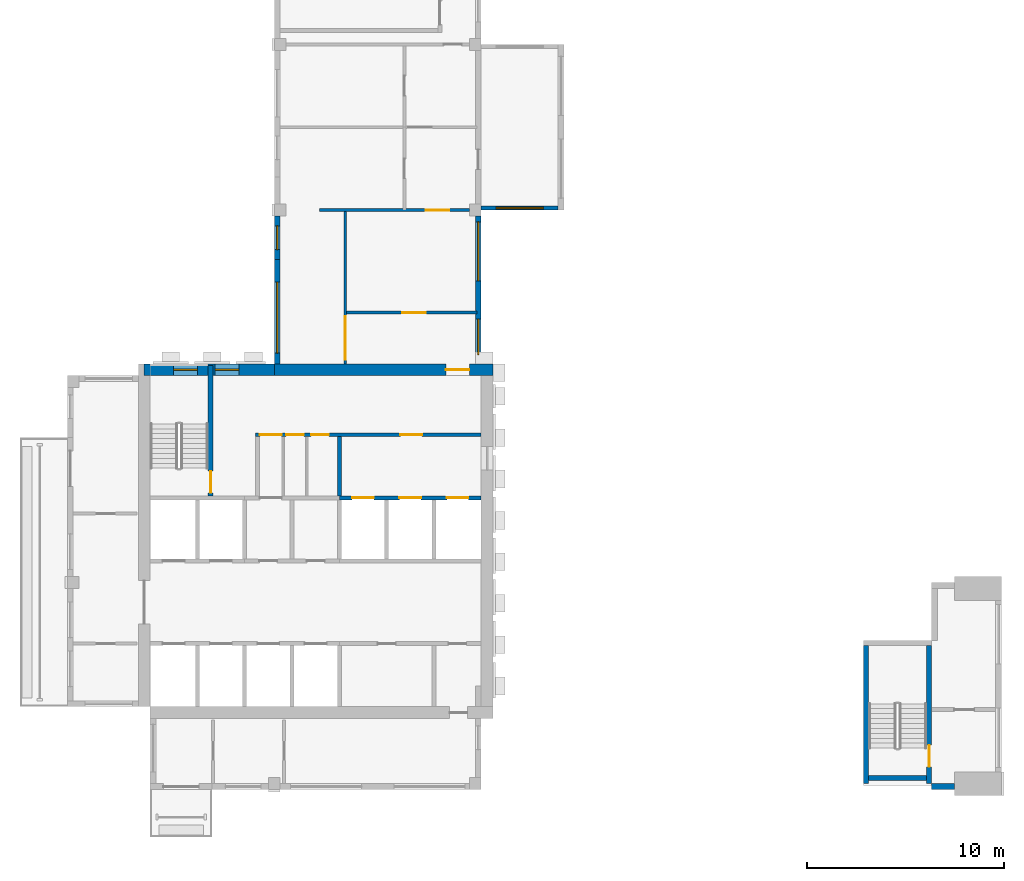
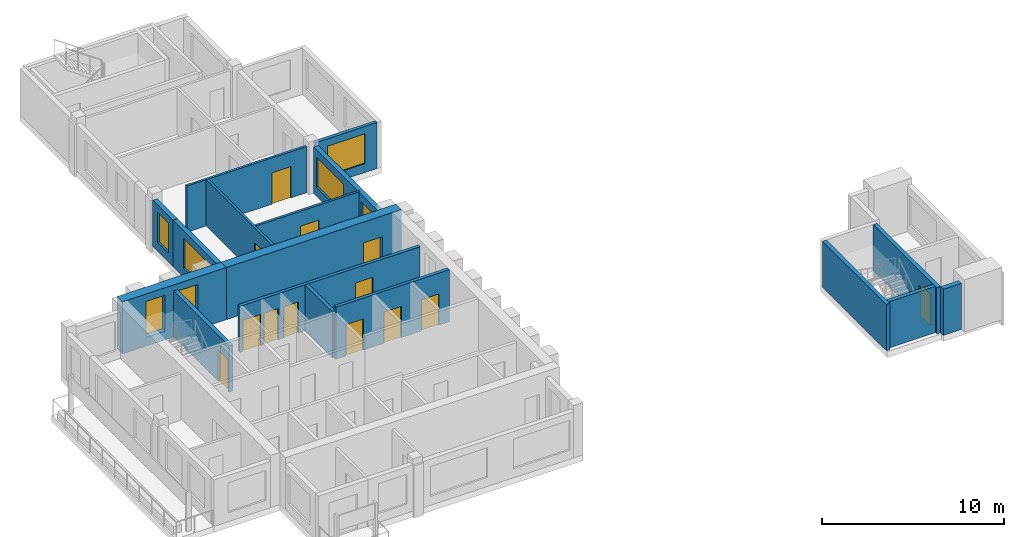
# One storey, part 3 of 9: 17 walls, 13 doors, 7 windows, 20 openings.
"""IFC4 building model written with IfcOpenShell, lengths in metres."""

from ifc_helpers import new_model, si_unit, direction, frame, frame_2d, origin, place, context, subcontext, project, spatial, rectangle, extrude, source, transform, mapped, material, layer, layer_set, type_object, element, fill, save


model = new_model("IFC4")

# Units and contexts
model_context = context("Model", 3, precision=1e-05, world=origin(), true_north=direction((0.0, 1.0)))
body_context = subcontext(model_context, "Body", "Model", "MODEL_VIEW")
ifc_project = project(units=[si_unit("LENGTHUNIT", "METRE"), si_unit("AREAUNIT", "SQUARE_METRE"), si_unit("VOLUMEUNIT", "CUBIC_METRE"), si_unit("PLANEANGLEUNIT", "RADIAN"), si_unit("MASSUNIT", "GRAM", prefix="KILO")], contexts=[model_context])

# Site, building, storey
site_placement = place(None, origin())
site = spatial("IfcSite", under=ifc_project, at=site_placement, CompositionType="ELEMENT")
building_placement = place(site_placement, origin())
building = spatial("IfcBuilding", under=site, at=building_placement, Name="Aurelian Terraces", CompositionType="ELEMENT")
storey_placement = place(building_placement, frame((0.0, 0.0, 340.5)))
storey = spatial("IfcBuildingStorey", under=building, at=storey_placement, Name="L80", CompositionType="ELEMENT", Elevation=340.5)

# Wall, opening, window
ifc_material_1 = material(Name="Terracotta rainscreen cladding", Category="masonry")
ifc_layer_1 = layer(ifc_material_1, 0.3)
ifc_layer_set_1 = layer_set([ifc_layer_1], Name="EW-300")
wall_type_1 = type_object("IfcWallType", Name="EW-300", PredefinedType="STANDARD", material=ifc_layer_set_1)
wall_1_placement = place(storey_placement, frame((10.65, 29.1, 0.0), z_axis=(0.0, 0.0, 1.0), x_axis=(0.0, -1.0, 0.0)))
wall_1 = element("IfcWall", 1, at=wall_1_placement, inside=storey, type_object=wall_type_1, Name="External wall L80 F04.12", PredefinedType="STANDARD", context=body_context, shape_type="SweptSolid", body=[
    extrude(rectangle(XDim=2.22, YDim=0.3, at=frame_2d((1.11, 0.0))), origin(), (0.0, 0.0, 1.0), 3.1),
])
shared_shape_1 = source(origin(), body_context, "Body", "SweptSolid", [
    extrude(rectangle(XDim=1.2, YDim=2.0, at=frame_2d((0.6, 1.0))), frame((0.0, 0.16, 0.0), z_axis=(0.0, -1.0, 0.0), x_axis=(1.0, 0.0, 0.0)), (0.0, 0.0, 1.0), 0.32),
])
opening_1_placement = place(wall_1_placement, frame((0.51, 0.0, 0.6)))
opening_1 = element("IfcOpeningElement", 2, at=opening_1_placement, cuts=wall_1, Name="Opening W1220", PredefinedType="OPENING", context=body_context, shape_type="MappedRepresentation", body=[
    mapped(shared_shape_1, transform((0.0, 0.0, 0.0), scale=1.0)),
])
ifc_material_2 = material(Name="Clear glazing", Category="glass")
window_type_1 = type_object("IfcWindowType", Name="W-1200x2000", PartitioningType="SINGLE_PANEL", PredefinedType="WINDOW", material=ifc_material_2)
shared_shape_2 = source(origin(), body_context, "Body", "SweptSolid", [
    extrude(rectangle(XDim=1.2, YDim=2.0, at=frame_2d((0.6, 1.0))), frame((0.0, 0.03, 0.0), z_axis=(0.0, -1.0, 0.0), x_axis=(1.0, 0.0, 0.0)), (0.0, 0.0, 1.0), 0.06),
])
window_1_placement = place(opening_1_placement, origin())
window_1 = element("IfcWindow", 3, at=window_1_placement, inside=storey, type_object=window_type_1, Name="Window L80 L80-F04-12-P1", OverallHeight=2.0, OverallWidth=1.2, PartitioningType="SINGLE_PANEL", PredefinedType="WINDOW", context=body_context, shape_type="MappedRepresentation", body=[
    mapped(shared_shape_2, transform((0.0, 0.0, 0.0), scale=1.0)),
])
fill(opening_1, window_1)

# Wall, opening, door
ifc_material_3 = material(Name="Gypsum board on steel studs", Category="steel")
ifc_layer_2 = layer(ifc_material_3, 0.15)
ifc_layer_set_2 = layer_set([ifc_layer_2], Name="Partition 150")
wall_type_2 = type_object("IfcWallType", Name="Partition 150", PredefinedType="PARTITIONING", material=ifc_layer_set_2)
wall_2_placement = place(storey_placement, frame((12.805, 29.4, 0.0), z_axis=(0.0, 0.0, 1.0), x_axis=(1.0, 0.0, 0.0)))
wall_2 = element("IfcWall", 4, at=wall_2_placement, inside=storey, type_object=wall_type_2, Name="Partition", PredefinedType="PARTITIONING", context=body_context, shape_type="SweptSolid", body=[
    extrude(rectangle(XDim=7.596, YDim=0.15, at=frame_2d((3.798, 0.0))), origin(), (0.0, 0.0, 1.0), 3.1),
])
shared_shape_3 = source(origin(), body_context, "Body", "SweptSolid", [
    extrude(rectangle(XDim=1.2, YDim=2.1, at=frame_2d((0.6, 1.05))), frame((0.0, 0.085, 0.0), z_axis=(0.0, -1.0, 0.0), x_axis=(1.0, 0.0, 0.0)), (0.0, 0.0, 1.0), 0.17),
])
opening_2_placement = place(wall_2_placement, frame((5.3825, 0.0, 0.0)))
opening_2 = element("IfcOpeningElement", 5, at=opening_2_placement, cuts=wall_2, Name="Opening 780008", PredefinedType="OPENING", context=body_context, shape_type="MappedRepresentation", body=[
    mapped(shared_shape_3, transform((0.0, 0.0, 0.0), scale=1.0)),
])
ifc_material_4 = material(Name="Timber door leaf", Category="wood")
door_type_1 = type_object("IfcDoorType", Name="Room door 1200x2100 right", OperationType="SINGLE_SWING_RIGHT", PredefinedType="DOOR", material=ifc_material_4)
shared_shape_4 = source(origin(), body_context, "Body", "SweptSolid", [
    extrude(rectangle(XDim=1.2, YDim=2.1, at=frame_2d((0.6, 1.05))), frame((0.0, 0.025, 0.0), z_axis=(0.0, -1.0, 0.0), x_axis=(1.0, 0.0, 0.0)), (0.0, 0.0, 1.0), 0.05),
])
door_1_placement = place(opening_2_placement, origin())
door_1 = element("IfcDoor", 6, at=door_1_placement, inside=storey, type_object=door_type_1, Name="Door 780008", OperationType="SINGLE_SWING_RIGHT", OverallHeight=2.1, OverallWidth=1.2, PredefinedType="DOOR", context=body_context, shape_type="MappedRepresentation", body=[
    mapped(shared_shape_4, transform((0.0, 0.0, 0.0), scale=1.0)),
])
fill(opening_2, door_1)

ifc_material_5 = material(Name="Concrete fc' 55 MPa", Category="concrete")
ifc_layer_3 = layer(ifc_material_5, 0.6)
ifc_layer_set_3 = layer_set([ifc_layer_3], Name="CORE WALL 600 FC55")
wall_type_3 = type_object("IfcWallType", Name="CORE WALL 600 FC55", PredefinedType="SHEAR", material=ifc_layer_set_3)
shared_shape_5 = source(origin(), body_context, "Body", "SweptSolid", [
    extrude(rectangle(XDim=11.1, YDim=0.6, at=frame_2d((5.55, 0.0))), origin(), (0.0, 0.0, 1.0), 3.5),
])
wall_3_placement = place(storey_placement, frame((10.5, 21.3, 0.0), z_axis=(0.0, 0.0, 1.0), x_axis=(1.0, 0.0, 0.0)))
wall_3 = element("IfcWall", 7, at=wall_3_placement, inside=storey, type_object=wall_type_3, Name="Core wall N L80", PredefinedType="SHEAR", context=body_context, shape_type="MappedRepresentation", body=[
    mapped(shared_shape_5, transform((0.0, 0.0, 0.0), scale=1.0)),
])
shared_shape_6 = source(origin(), body_context, "Body", "SweptSolid", [
    extrude(rectangle(XDim=1.2, YDim=2.1, at=frame_2d((0.6, 1.05))), frame((0.0, 0.31, 0.0), z_axis=(0.0, -1.0, 0.0), x_axis=(1.0, 0.0, 0.0)), (0.0, 0.0, 1.0), 0.62),
])
opening_3_placement = place(wall_3_placement, frame((8.7, 0.0, 0.0)))
opening_3 = element("IfcOpeningElement", 8, at=opening_3_placement, cuts=wall_3, Name="Opening 68325", PredefinedType="OPENING", context=body_context, shape_type="MappedRepresentation", body=[
    mapped(shared_shape_6, transform((0.0, 0.0, 0.0), scale=1.0)),
])
ifc_material_6 = material(Name="Steel door leaf", Category="steel")
door_type_2 = type_object("IfcDoorType", Name="Core fire door 1200x2100", OperationType="SINGLE_SWING_LEFT", PredefinedType="DOOR", material=ifc_material_6)
door_2_placement = place(opening_3_placement, origin())
door_2 = element("IfcDoor", 9, at=door_2_placement, inside=storey, type_object=door_type_2, Name="Core door 68325", OperationType="SINGLE_SWING_LEFT", OverallHeight=2.1, OverallWidth=1.2, PredefinedType="DOOR", context=body_context, shape_type="MappedRepresentation", body=[
    mapped(shared_shape_4, transform((0.0, 0.0, 0.0), scale=1.0)),
])
fill(opening_3, door_2)

# Wall, openings, windows
shared_shape_7 = source(origin(), body_context, "Body", "SweptSolid", [
    extrude(rectangle(XDim=6.6, YDim=0.6, at=frame_2d((3.3, 0.0))), origin(), (0.0, 0.0, 1.0), 3.5),
])
wall_4_placement = place(storey_placement, frame((3.9, 21.3, 0.0), z_axis=(0.0, 0.0, 1.0), x_axis=(1.0, 0.0, 0.0)))
wall_4 = element("IfcWall", 10, at=wall_4_placement, inside=storey, type_object=wall_type_3, Name="Core wall N L80 exposed", PredefinedType="SHEAR", context=body_context, shape_type="MappedRepresentation", body=[
    mapped(shared_shape_7, transform((0.0, 0.0, 0.0), scale=1.0)),
])
shared_shape_8 = source(origin(), body_context, "Body", "SweptSolid", [
    extrude(rectangle(XDim=1.2, YDim=2.4, at=frame_2d((0.6, 1.2))), frame((0.0, 0.31, 0.0), z_axis=(0.0, -1.0, 0.0), x_axis=(1.0, 0.0, 0.0)), (0.0, 0.0, 1.0), 0.62),
])
opening_4_placement = place(wall_4_placement, frame((1.5, 0.0, 0.6)))
opening_4 = element("IfcOpeningElement", 11, at=opening_4_placement, cuts=wall_4, Name="Opening W-CL", PredefinedType="OPENING", context=body_context, shape_type="MappedRepresentation", body=[
    mapped(shared_shape_8, transform((0.0, 0.0, 0.0), scale=1.0)),
])
opening_5_placement = place(wall_4_placement, frame((3.6, 0.0, 0.6)))
opening_5 = element("IfcOpeningElement", 12, at=opening_5_placement, cuts=wall_4, Name="Opening W-CL", PredefinedType="OPENING", context=body_context, shape_type="MappedRepresentation", body=[
    mapped(shared_shape_8, transform((0.0, 0.0, 0.0), scale=1.0)),
])
ifc_material_7 = material(Name="Fire-resisting glazing", Category="glass")
window_type_2 = type_object("IfcWindowType", Name="Core lobby window 1200x2400", PartitioningType="SINGLE_PANEL", PredefinedType="WINDOW", material=ifc_material_7)
shared_shape_9 = source(origin(), body_context, "Body", "SweptSolid", [
    extrude(rectangle(XDim=1.2, YDim=2.4, at=frame_2d((0.6, 1.2))), frame((0.0, 0.03, 0.0), z_axis=(0.0, -1.0, 0.0), x_axis=(1.0, 0.0, 0.0)), (0.0, 0.0, 1.0), 0.06),
])
window_2_placement = place(opening_4_placement, origin())
window_2 = element("IfcWindow", 13, at=window_2_placement, inside=storey, type_object=window_type_2, Name="Lobby window L80 N50", OverallHeight=2.4, OverallWidth=1.2, PartitioningType="SINGLE_PANEL", PredefinedType="WINDOW", context=body_context, shape_type="MappedRepresentation", body=[
    mapped(shared_shape_9, transform((0.0, 0.0, 0.0), scale=1.0)),
])
fill(opening_4, window_2)
window_3_placement = place(opening_5_placement, origin())
window_3 = element("IfcWindow", 14, at=window_3_placement, inside=storey, type_object=window_type_2, Name="Lobby window L80 N51", OverallHeight=2.4, OverallWidth=1.2, PartitioningType="SINGLE_PANEL", PredefinedType="WINDOW", context=body_context, shape_type="MappedRepresentation", body=[
    mapped(shared_shape_9, transform((0.0, 0.0, 0.0), scale=1.0)),
])
fill(opening_5, window_3)

# Wall, opening, window
ifc_material_8 = material(Name="Concrete fc' 40 MPa", Category="concrete")
ifc_layer_4 = layer(ifc_material_8, 0.2)
ifc_layer_set_4 = layer_set([ifc_layer_4], Name="BOX BEARING WALL 200")
wall_type_4 = type_object("IfcWallType", Name="BOX BEARING WALL 200", PredefinedType="SOLIDWALL", material=ifc_layer_set_4)
shared_shape_10 = source(origin(), body_context, "Body", "SweptSolid", [
    extrude(rectangle(XDim=3.9, YDim=0.2, at=frame_2d((1.95, 0.0))), origin(), (0.0, 0.0, 1.0), 3.09),
])
wall_5_placement = place(storey_placement, frame((21.0, 29.5, 0.0), z_axis=(0.0, 0.0, 1.0), x_axis=(1.0, 0.0, 0.0)))
wall_5 = element("IfcWall", 15, at=wall_5_placement, inside=storey, type_object=wall_type_4, Name="Box return L80 J94.1", PredefinedType="SOLIDWALL", context=body_context, shape_type="MappedRepresentation", body=[
    mapped(shared_shape_10, transform((0.0, 0.0, 0.0), scale=1.0)),
])
shared_shape_11 = source(origin(), body_context, "Body", "SweptSolid", [
    extrude(rectangle(XDim=2.4, YDim=2.0, at=frame_2d((1.2, 1.0))), frame((0.0, 0.11, 0.0), z_axis=(0.0, -1.0, 0.0), x_axis=(1.0, 0.0, 0.0)), (0.0, 0.0, 1.0), 0.22),
])
opening_6_placement = place(wall_5_placement, frame((0.75, 0.0, 0.6)))
opening_6 = element("IfcOpeningElement", 16, at=opening_6_placement, cuts=wall_5, Name="Opening W2420", PredefinedType="OPENING", context=body_context, shape_type="MappedRepresentation", body=[
    mapped(shared_shape_11, transform((0.0, 0.0, 0.0), scale=1.0)),
])
window_type_3 = type_object("IfcWindowType", Name="W-2400x2000", PartitioningType="SINGLE_PANEL", PredefinedType="WINDOW", material=ifc_material_2)
shared_shape_12 = source(origin(), body_context, "Body", "SweptSolid", [
    extrude(rectangle(XDim=2.4, YDim=2.0, at=frame_2d((1.2, 1.0))), frame((0.0, 0.03, 0.0), z_axis=(0.0, -1.0, 0.0), x_axis=(1.0, 0.0, 0.0)), (0.0, 0.0, 1.0), 0.06),
])
window_4_placement = place(opening_6_placement, origin())
window_4 = element("IfcWindow", 17, at=window_4_placement, inside=storey, type_object=window_type_3, Name="Window L80 J94-S1", OverallHeight=2.0, OverallWidth=2.4, PartitioningType="SINGLE_PANEL", PredefinedType="WINDOW", context=body_context, shape_type="MappedRepresentation", body=[
    mapped(shared_shape_12, transform((0.0, 0.0, 0.0), scale=1.0)),
])
fill(opening_6, window_4)

shared_shape_13 = source(origin(), body_context, "Body", "SweptSolid", [
    extrude(rectangle(XDim=5.28, YDim=0.3, at=frame_2d((2.64, 0.0))), origin(), (0.0, 0.0, 1.0), 3.1),
])
wall_6_placement = place(storey_placement, frame((10.65, 26.88, 0.0), z_axis=(0.0, 0.0, 1.0), x_axis=(0.0, -1.0, 0.0)))
wall_6 = element("IfcWall", 18, at=wall_6_placement, inside=storey, type_object=wall_type_1, Name="External wall L80 F04.13", PredefinedType="STANDARD", context=body_context, shape_type="MappedRepresentation", body=[
    mapped(shared_shape_13, transform((0.0, 0.0, 0.0), scale=1.0)),
])
shared_shape_14 = source(origin(), body_context, "Body", "SweptSolid", [
    extrude(rectangle(XDim=3.6, YDim=2.0, at=frame_2d((1.8, 1.0))), frame((0.0, 0.16, 0.0), z_axis=(0.0, -1.0, 0.0), x_axis=(1.0, 0.0, 0.0)), (0.0, 0.0, 1.0), 0.32),
])
opening_7_placement = place(wall_6_placement, frame((1.14, 0.0, 0.6)))
opening_7 = element("IfcOpeningElement", 19, at=opening_7_placement, cuts=wall_6, Name="Opening W3620", PredefinedType="OPENING", context=body_context, shape_type="MappedRepresentation", body=[
    mapped(shared_shape_14, transform((0.0, 0.0, 0.0), scale=1.0)),
])
window_type_4 = type_object("IfcWindowType", Name="W-3600x2000", PartitioningType="SINGLE_PANEL", PredefinedType="WINDOW", material=ifc_material_2)
shared_shape_15 = source(origin(), body_context, "Body", "SweptSolid", [
    extrude(rectangle(XDim=3.6, YDim=2.0, at=frame_2d((1.8, 1.0))), frame((0.0, 0.03, 0.0), z_axis=(0.0, -1.0, 0.0), x_axis=(1.0, 0.0, 0.0)), (0.0, 0.0, 1.0), 0.06),
])
window_5_placement = place(opening_7_placement, origin())
window_5 = element("IfcWindow", 20, at=window_5_placement, inside=storey, type_object=window_type_4, Name="Window L80 L80-F04-13-0", OverallHeight=2.0, OverallWidth=3.6, PartitioningType="SINGLE_PANEL", PredefinedType="WINDOW", context=body_context, shape_type="MappedRepresentation", body=[
    mapped(shared_shape_15, transform((0.0, 0.0, 0.0), scale=1.0)),
])
fill(opening_7, window_5)

# Wall, openings, windows
shared_shape_16 = source(origin(), body_context, "Body", "SweptSolid", [
    extrude(rectangle(XDim=7.5, YDim=0.3, at=frame_2d((3.75, 0.0))), origin(), (0.0, 0.0, 1.0), 3.1),
])
wall_7_placement = place(storey_placement, frame((20.85, 21.6, 0.0), z_axis=(0.0, 0.0, 1.0), x_axis=(0.0, 1.0, 0.0)))
wall_7 = element("IfcWall", 21, at=wall_7_placement, inside=storey, type_object=wall_type_1, Name="External wall L80 F02.7", PredefinedType="STANDARD", context=body_context, shape_type="MappedRepresentation", body=[
    mapped(shared_shape_16, transform((0.0, 0.0, 0.0), scale=1.0)),
])
shared_shape_17 = source(origin(), body_context, "Body", "SweptSolid", [
    extrude(rectangle(XDim=1.8, YDim=2.0, at=frame_2d((0.9, 1.0))), frame((0.0, 0.16, 0.0), z_axis=(0.0, -1.0, 0.0), x_axis=(1.0, 0.0, 0.0)), (0.0, 0.0, 1.0), 0.32),
])
opening_8_placement = place(wall_7_placement, frame((0.4625, 0.0, 0.6)))
opening_8 = element("IfcOpeningElement", 22, at=opening_8_placement, cuts=wall_7, Name="Opening W1820", PredefinedType="OPENING", context=body_context, shape_type="MappedRepresentation", body=[
    mapped(shared_shape_17, transform((0.0, 0.0, 0.0), scale=1.0)),
])
shared_shape_18 = source(origin(), body_context, "Body", "SweptSolid", [
    extrude(rectangle(XDim=3.0, YDim=2.0, at=frame_2d((1.5, 1.0))), frame((0.0, 0.16, 0.0), z_axis=(0.0, -1.0, 0.0), x_axis=(1.0, 0.0, 0.0)), (0.0, 0.0, 1.0), 0.32),
])
opening_9_placement = place(wall_7_placement, frame((4.2, 0.0, 0.6)))
opening_9 = element("IfcOpeningElement", 23, at=opening_9_placement, cuts=wall_7, Name="Opening W3020", PredefinedType="OPENING", context=body_context, shape_type="MappedRepresentation", body=[
    mapped(shared_shape_18, transform((0.0, 0.0, 0.0), scale=1.0)),
])
window_type_5 = type_object("IfcWindowType", Name="W-3000x2000", PartitioningType="SINGLE_PANEL", PredefinedType="WINDOW", material=ifc_material_2)
shared_shape_19 = source(origin(), body_context, "Body", "SweptSolid", [
    extrude(rectangle(XDim=3.0, YDim=2.0, at=frame_2d((1.5, 1.0))), frame((0.0, 0.03, 0.0), z_axis=(0.0, -1.0, 0.0), x_axis=(1.0, 0.0, 0.0)), (0.0, 0.0, 1.0), 0.06),
])
window_6_placement = place(opening_9_placement, origin())
window_6 = element("IfcWindow", 24, at=window_6_placement, inside=storey, type_object=window_type_5, Name="Window L80 L80-F02-07-1", OverallHeight=2.0, OverallWidth=3.0, PartitioningType="SINGLE_PANEL", PredefinedType="WINDOW", context=body_context, shape_type="MappedRepresentation", body=[
    mapped(shared_shape_19, transform((0.0, 0.0, 0.0), scale=1.0)),
])
fill(opening_9, window_6)
window_type_6 = type_object("IfcWindowType", Name="W-1800x2000", PartitioningType="SINGLE_PANEL", PredefinedType="WINDOW", material=ifc_material_2)
shared_shape_20 = source(origin(), body_context, "Body", "SweptSolid", [
    extrude(rectangle(XDim=1.8, YDim=2.0, at=frame_2d((0.9, 1.0))), frame((0.0, 0.03, 0.0), z_axis=(0.0, -1.0, 0.0), x_axis=(1.0, 0.0, 0.0)), (0.0, 0.0, 1.0), 0.06),
])
window_7_placement = place(opening_8_placement, origin())
window_7 = element("IfcWindow", 25, at=window_7_placement, inside=storey, type_object=window_type_6, Name="Window L80 L80-F02-07-0", OverallHeight=2.0, OverallWidth=1.8, PartitioningType="SINGLE_PANEL", PredefinedType="WINDOW", context=body_context, shape_type="MappedRepresentation", body=[
    mapped(shared_shape_20, transform((0.0, 0.0, 0.0), scale=1.0)),
])
fill(opening_8, window_7)

# Wall
shared_shape_21 = source(origin(), body_context, "Body", "SweptSolid", [
    extrude(rectangle(XDim=1.15, YDim=0.3, at=frame_2d((0.575, 0.0))), origin(), (0.0, 0.0, 1.0), 3.1),
])
wall_8_placement = place(storey_placement, frame((43.85, 0.15, 0.0), z_axis=(0.0, 0.0, 1.0), x_axis=(1.0, 0.0, 0.0)))
element("IfcWall", 26, at=wall_8_placement, inside=storey, type_object=wall_type_1, Name="External wall L80 F13.23", PredefinedType="STANDARD", context=body_context, shape_type="MappedRepresentation", body=[
    mapped(shared_shape_21, transform((0.0, 0.0, 0.0), scale=1.0)),
])

# Wall, openings, doors
ifc_layer_5 = layer(ifc_material_8, 0.2)
ifc_layer_set_5 = layer_set([ifc_layer_5], Name="Lift shaft wall 200")
wall_type_5 = type_object("IfcWallType", Name="Lift shaft wall 200", PredefinedType="SOLIDWALL", material=ifc_layer_set_5)
shared_shape_22 = source(origin(), body_context, "Body", "SweptSolid", [
    extrude(rectangle(XDim=7.2, YDim=0.2, at=frame_2d((3.6, 0.0))), origin(), (0.0, 0.0, 1.0), 3.5),
])
wall_9_placement = place(storey_placement, frame((13.8, 14.8, 0.0), z_axis=(0.0, 0.0, 1.0), x_axis=(1.0, 0.0, 0.0)))
wall_9 = element("IfcWall", 27, at=wall_9_placement, inside=storey, type_object=wall_type_5, Name="L80 core wall CF-BB3", PredefinedType="SOLIDWALL", context=body_context, shape_type="MappedRepresentation", body=[
    mapped(shared_shape_22, transform((0.0, 0.0, 0.0), scale=1.0)),
])
shared_shape_23 = source(origin(), body_context, "Body", "SweptSolid", [
    extrude(rectangle(XDim=1.1, YDim=2.1, at=frame_2d((0.55, 1.05))), frame((0.0, 0.11, 0.0), z_axis=(0.0, -1.0, 0.0), x_axis=(1.0, 0.0, 0.0)), (0.0, 0.0, 1.0), 0.22),
])
opening_10_placement = place(wall_9_placement, frame((0.65, 0.0, 0.0)))
opening_10 = element("IfcOpeningElement", 28, at=opening_10_placement, cuts=wall_9, Name="Opening 68311", PredefinedType="OPENING", context=body_context, shape_type="MappedRepresentation", body=[
    mapped(shared_shape_23, transform((0.0, 0.0, 0.0), scale=1.0)),
])
opening_11_placement = place(wall_9_placement, frame((3.05, 0.0, 0.0)))
opening_11 = element("IfcOpeningElement", 29, at=opening_11_placement, cuts=wall_9, Name="Opening 68312", PredefinedType="OPENING", context=body_context, shape_type="MappedRepresentation", body=[
    mapped(shared_shape_23, transform((0.0, 0.0, 0.0), scale=1.0)),
])
opening_12_placement = place(wall_9_placement, frame((5.45, 0.0, 0.0)))
opening_12 = element("IfcOpeningElement", 30, at=opening_12_placement, cuts=wall_9, Name="Opening 68313", PredefinedType="OPENING", context=body_context, shape_type="MappedRepresentation", body=[
    mapped(shared_shape_23, transform((0.0, 0.0, 0.0), scale=1.0)),
])
ifc_material_9 = material(Name="Stainless steel", Category="steel")
door_type_3 = type_object("IfcDoorType", Name="Lift landing door 1100x2100", OperationType="SLIDING_TO_LEFT", PredefinedType="DOOR", material=ifc_material_9)
shared_shape_24 = source(origin(), body_context, "Body", "SweptSolid", [
    extrude(rectangle(XDim=1.1, YDim=2.1, at=frame_2d((0.55, 1.05))), frame((0.0, 0.025, 0.0), z_axis=(0.0, -1.0, 0.0), x_axis=(1.0, 0.0, 0.0)), (0.0, 0.0, 1.0), 0.05),
])
door_3_placement = place(opening_10_placement, origin())
door_3 = element("IfcDoor", 31, at=door_3_placement, inside=storey, type_object=door_type_3, Name="Lift landing door F1 L80", OperationType="SLIDING_TO_LEFT", OverallHeight=2.1, OverallWidth=1.1, PredefinedType="DOOR", context=body_context, shape_type="MappedRepresentation", body=[
    mapped(shared_shape_24, transform((0.0, 0.0, 0.0), scale=1.0)),
])
fill(opening_10, door_3)
door_4_placement = place(opening_11_placement, origin())
door_4 = element("IfcDoor", 32, at=door_4_placement, inside=storey, type_object=door_type_3, Name="Lift landing door F2 L80", OperationType="SLIDING_TO_LEFT", OverallHeight=2.1, OverallWidth=1.1, PredefinedType="DOOR", context=body_context, shape_type="MappedRepresentation", body=[
    mapped(shared_shape_24, transform((0.0, 0.0, 0.0), scale=1.0)),
])
fill(opening_11, door_4)
door_5_placement = place(opening_12_placement, origin())
door_5 = element("IfcDoor", 33, at=door_5_placement, inside=storey, type_object=door_type_3, Name="Lift landing door F3 L80", OperationType="SLIDING_TO_LEFT", OverallHeight=2.1, OverallWidth=1.1, PredefinedType="DOOR", context=body_context, shape_type="MappedRepresentation", body=[
    mapped(shared_shape_24, transform((0.0, 0.0, 0.0), scale=1.0)),
])
fill(opening_12, door_5)

# Walls
ifc_layer_6 = layer(ifc_material_3, 0.2)
ifc_layer_set_6 = layer_set([ifc_layer_6], Name="Core partition 200")
wall_type_6 = type_object("IfcWallType", Name="Core partition 200", PredefinedType="PARTITIONING", material=ifc_layer_set_6)
shared_shape_25 = source(origin(), body_context, "Body", "SweptSolid", [
    extrude(rectangle(XDim=3.0, YDim=0.2, at=frame_2d((1.5, 0.0))), origin(), (0.0, 0.0, 1.0), 3.1),
])
wall_10_placement = place(storey_placement, frame((13.8, 14.9, 0.0), z_axis=(0.0, 0.0, 1.0), x_axis=(0.0, 1.0, 0.0)))
element("IfcWall", 34, at=wall_10_placement, inside=storey, type_object=wall_type_6, Name="L80 core wall CP-FFL", PredefinedType="PARTITIONING", context=body_context, shape_type="MappedRepresentation", body=[
    mapped(shared_shape_25, transform((0.0, 0.0, 0.0), scale=1.0)),
])
ifc_layer_7 = layer(ifc_material_8, 0.25)
ifc_layer_set_7 = layer_set([ifc_layer_7], Name="Stair enclosure wall 250")
wall_type_7 = type_object("IfcWallType", Name="Stair enclosure wall 250", PredefinedType="SOLIDWALL", material=ifc_layer_set_7)
shared_shape_26 = source(origin(), body_context, "Body", "SweptSolid", [
    extrude(rectangle(XDim=7.0, YDim=0.25, at=frame_2d((3.5, 0.0))), origin(), (0.0, 0.0, 1.0), 3.1),
])
wall_11_placement = place(storey_placement, frame((40.525, 0.3, 0.0), z_axis=(0.0, 0.0, 1.0), x_axis=(0.0, 1.0, 0.0)))
element("IfcWall", 35, at=wall_11_placement, inside=storey, type_object=wall_type_7, Name="L80 core wall ST-S2-W", PredefinedType="SOLIDWALL", context=body_context, shape_type="MappedRepresentation", body=[
    mapped(shared_shape_26, transform((0.0, 0.0, 0.0), scale=1.0)),
])

# Wall, opening, door
wall_12_placement = place(storey_placement, frame((43.725, 0.3, 0.0), z_axis=(0.0, 0.0, 1.0), x_axis=(0.0, 1.0, 0.0)))
wall_12 = element("IfcWall", 36, at=wall_12_placement, inside=storey, type_object=wall_type_7, Name="L80 core wall ST-S2-E", PredefinedType="SOLIDWALL", context=body_context, shape_type="MappedRepresentation", body=[
    mapped(shared_shape_26, transform((0.0, 0.0, 0.0), scale=1.0)),
])
shared_shape_27 = source(origin(), body_context, "Body", "SweptSolid", [
    extrude(rectangle(XDim=1.1, YDim=2.1, at=frame_2d((0.55, 1.05))), frame((0.0, 0.135, 0.0), z_axis=(0.0, -1.0, 0.0), x_axis=(1.0, 0.0, 0.0)), (0.0, 0.0, 1.0), 0.27),
])
opening_13_placement = place(wall_12_placement, frame((0.85, 0.0, 0.0)))
opening_13 = element("IfcOpeningElement", 37, at=opening_13_placement, cuts=wall_12, Name="Opening 68319", PredefinedType="OPENING", context=body_context, shape_type="MappedRepresentation", body=[
    mapped(shared_shape_27, transform((0.0, 0.0, 0.0), scale=1.0)),
])
door_type_4 = type_object("IfcDoorType", Name="Core fire door 1100x2100", OperationType="SINGLE_SWING_LEFT", PredefinedType="DOOR", material=ifc_material_6)
door_6_placement = place(opening_13_placement, origin())
door_6 = element("IfcDoor", 38, at=door_6_placement, inside=storey, type_object=door_type_4, Name="Room door 68319", OperationType="SINGLE_SWING_LEFT", OverallHeight=2.1, OverallWidth=1.1, PredefinedType="DOOR", context=body_context, shape_type="MappedRepresentation", body=[
    mapped(shared_shape_24, transform((0.0, 0.0, 0.0), scale=1.0)),
])
fill(opening_13, door_6)

shared_shape_28 = source(origin(), body_context, "Body", "SweptSolid", [
    extrude(rectangle(XDim=6.6, YDim=0.25, at=frame_2d((3.3, 0.0))), origin(), (0.0, 0.0, 1.0), 3.1),
])
wall_13_placement = place(storey_placement, frame((7.275, 14.9, 0.0), z_axis=(0.0, 0.0, 1.0), x_axis=(0.0, 1.0, 0.0)))
wall_13 = element("IfcWall", 39, at=wall_13_placement, inside=storey, type_object=wall_type_7, Name="L80 core wall ST-S1-E", PredefinedType="SOLIDWALL", context=body_context, shape_type="MappedRepresentation", body=[
    mapped(shared_shape_28, transform((0.0, 0.0, 0.0), scale=1.0)),
])
opening_14_placement = place(wall_13_placement, frame((0.15, 0.0, 0.0)))
opening_14 = element("IfcOpeningElement", 40, at=opening_14_placement, cuts=wall_13, Name="Opening 68314", PredefinedType="OPENING", context=body_context, shape_type="MappedRepresentation", body=[
    mapped(shared_shape_27, transform((0.0, 0.0, 0.0), scale=1.0)),
])
door_type_5 = type_object("IfcDoorType", Name="Core fire door 1100x2100 right", OperationType="SINGLE_SWING_RIGHT", PredefinedType="DOOR", material=ifc_material_6)
door_7_placement = place(opening_14_placement, origin())
door_7 = element("IfcDoor", 41, at=door_7_placement, inside=storey, type_object=door_type_5, Name="Stair door 68314", OperationType="SINGLE_SWING_RIGHT", OverallHeight=2.1, OverallWidth=1.1, PredefinedType="DOOR", context=body_context, shape_type="MappedRepresentation", body=[
    mapped(shared_shape_24, transform((0.0, 0.0, 0.0), scale=1.0)),
])
fill(opening_14, door_7)

# Wall, openings, doors
shared_shape_29 = source(origin(), body_context, "Body", "SweptSolid", [
    extrude(rectangle(XDim=11.45, YDim=0.2, at=frame_2d((5.725, 0.0))), origin(), (0.0, 0.0, 1.0), 3.1),
])
wall_14_placement = place(storey_placement, frame((9.55, 18.0, 0.0), z_axis=(0.0, 0.0, 1.0), x_axis=(1.0, 0.0, 0.0)))
wall_14 = element("IfcWall", 42, at=wall_14_placement, inside=storey, type_object=wall_type_6, Name="L80 core wall CP-NORTH", PredefinedType="PARTITIONING", context=body_context, shape_type="MappedRepresentation", body=[
    mapped(shared_shape_29, transform((0.0, 0.0, 0.0), scale=1.0)),
])
opening_15_placement = place(wall_14_placement, frame((0.225, 0.0, 0.0)))
opening_15 = element("IfcOpeningElement", 43, at=opening_15_placement, cuts=wall_14, Name="Opening 68315", PredefinedType="OPENING", context=body_context, shape_type="MappedRepresentation", body=[
    mapped(shared_shape_23, transform((0.0, 0.0, 0.0), scale=1.0)),
])
shared_shape_30 = source(origin(), body_context, "Body", "SweptSolid", [
    extrude(rectangle(XDim=0.9, YDim=2.1, at=frame_2d((0.45, 1.05))), frame((0.0, 0.11, 0.0), z_axis=(0.0, -1.0, 0.0), x_axis=(1.0, 0.0, 0.0)), (0.0, 0.0, 1.0), 0.22),
])
opening_16_placement = place(wall_14_placement, frame((1.55, 0.0, 0.0)))
opening_16 = element("IfcOpeningElement", 44, at=opening_16_placement, cuts=wall_14, Name="Opening 68316", PredefinedType="OPENING", context=body_context, shape_type="MappedRepresentation", body=[
    mapped(shared_shape_30, transform((0.0, 0.0, 0.0), scale=1.0)),
])
opening_17_placement = place(wall_14_placement, frame((2.825, 0.0, 0.0)))
opening_17 = element("IfcOpeningElement", 45, at=opening_17_placement, cuts=wall_14, Name="Opening 68317", PredefinedType="OPENING", context=body_context, shape_type="MappedRepresentation", body=[
    mapped(shared_shape_30, transform((0.0, 0.0, 0.0), scale=1.0)),
])
opening_18_placement = place(wall_14_placement, frame((7.35, 0.0, 0.0)))
opening_18 = element("IfcOpeningElement", 46, at=opening_18_placement, cuts=wall_14, Name="Opening 68318", PredefinedType="OPENING", context=body_context, shape_type="MappedRepresentation", body=[
    mapped(shared_shape_23, transform((0.0, 0.0, 0.0), scale=1.0)),
])
door_type_6 = type_object("IfcDoorType", Name="Core riser door 900x2100 right", OperationType="SINGLE_SWING_RIGHT", PredefinedType="DOOR", material=ifc_material_6)
shared_shape_31 = source(origin(), body_context, "Body", "SweptSolid", [
    extrude(rectangle(XDim=0.9, YDim=2.1, at=frame_2d((0.45, 1.05))), frame((0.0, 0.025, 0.0), z_axis=(0.0, -1.0, 0.0), x_axis=(1.0, 0.0, 0.0)), (0.0, 0.0, 1.0), 0.05),
])
door_8_placement = place(opening_16_placement, origin())
door_8 = element("IfcDoor", 47, at=door_8_placement, inside=storey, type_object=door_type_6, Name="Room door 68316", OperationType="SINGLE_SWING_RIGHT", OverallHeight=2.1, OverallWidth=0.9, PredefinedType="DOOR", context=body_context, shape_type="MappedRepresentation", body=[
    mapped(shared_shape_31, transform((0.0, 0.0, 0.0), scale=1.0)),
])
fill(opening_16, door_8)
door_type_7 = type_object("IfcDoorType", Name="Core service door 900x2100", OperationType="SINGLE_SWING_LEFT", PredefinedType="DOOR", material=ifc_material_6)
door_9_placement = place(opening_17_placement, origin())
door_9 = element("IfcDoor", 48, at=door_9_placement, inside=storey, type_object=door_type_7, Name="Room door 68317", OperationType="SINGLE_SWING_LEFT", OverallHeight=2.1, OverallWidth=0.9, PredefinedType="DOOR", context=body_context, shape_type="MappedRepresentation", body=[
    mapped(shared_shape_31, transform((0.0, 0.0, 0.0), scale=1.0)),
])
fill(opening_17, door_9)
door_type_8 = type_object("IfcDoorType", Name="Core service door 1100x2100", OperationType="SINGLE_SWING_LEFT", PredefinedType="DOOR", material=ifc_material_6)
door_10_placement = place(opening_15_placement, origin())
door_10 = element("IfcDoor", 49, at=door_10_placement, inside=storey, type_object=door_type_8, Name="Room door 68315", OperationType="SINGLE_SWING_LEFT", OverallHeight=2.1, OverallWidth=1.1, PredefinedType="DOOR", context=body_context, shape_type="MappedRepresentation", body=[
    mapped(shared_shape_24, transform((0.0, 0.0, 0.0), scale=1.0)),
])
fill(opening_15, door_10)
door_11_placement = place(opening_18_placement, origin())
door_11 = element("IfcDoor", 50, at=door_11_placement, inside=storey, type_object=door_type_5, Name="Ff lobby door 68318", OperationType="SINGLE_SWING_RIGHT", OverallHeight=2.1, OverallWidth=1.1, PredefinedType="DOOR", context=body_context, shape_type="MappedRepresentation", body=[
    mapped(shared_shape_24, transform((0.0, 0.0, 0.0), scale=1.0)),
])
fill(opening_18, door_11)

# Wall
shared_shape_32 = source(origin(), body_context, "Body", "SweptSolid", [
    extrude(rectangle(XDim=2.95, YDim=0.25, at=frame_2d((1.475, 0.0))), origin(), (0.0, 0.0, 1.0), 3.1),
])
wall_15_placement = place(storey_placement, frame((40.65, 0.575, 0.0), z_axis=(0.0, 0.0, 1.0), x_axis=(1.0, 0.0, 0.0)))
element("IfcWall", 51, at=wall_15_placement, inside=storey, type_object=wall_type_7, Name="L80 core wall ST-S2-SS", PredefinedType="SOLIDWALL", context=body_context, shape_type="MappedRepresentation", body=[
    mapped(shared_shape_32, transform((0.0, 0.0, 0.0), scale=1.0)),
])

# Wall, opening, door
shared_shape_33 = source(origin(), body_context, "Body", "SweptSolid", [
    extrude(rectangle(XDim=7.725, YDim=0.15, at=frame_2d((3.8625, 0.0))), origin(), (0.0, 0.0, 1.0), 3.1),
])
wall_16_placement = place(storey_placement, frame((14.1, 29.325, 0.0), z_axis=(0.0, 0.0, 1.0), x_axis=(0.0, -1.0, 0.0)))
wall_16 = element("IfcWall", 52, at=wall_16_placement, inside=storey, type_object=wall_type_2, Name="Partition", PredefinedType="PARTITIONING", context=body_context, shape_type="MappedRepresentation", body=[
    mapped(shared_shape_33, transform((0.0, 0.0, 0.0), scale=1.0)),
])
shared_shape_34 = source(origin(), body_context, "Body", "SweptSolid", [
    extrude(rectangle(XDim=2.2, YDim=2.1, at=frame_2d((1.1, 1.05))), frame((0.0, 0.085, 0.0), z_axis=(0.0, -1.0, 0.0), x_axis=(1.0, 0.0, 0.0)), (0.0, 0.0, 1.0), 0.17),
])
opening_19_placement = place(wall_16_placement, frame((5.325, 0.0, 0.0)))
opening_19 = element("IfcOpeningElement", 53, at=opening_19_placement, cuts=wall_16, Name="Opening 780005", PredefinedType="OPENING", context=body_context, shape_type="MappedRepresentation", body=[
    mapped(shared_shape_34, transform((0.0, 0.0, 0.0), scale=1.0)),
])
door_type_9 = type_object("IfcDoorType", Name="Double room door 2200x2100", OperationType="DOUBLE_DOOR_SINGLE_SWING", PredefinedType="DOOR", material=ifc_material_4)
shared_shape_35 = source(origin(), body_context, "Body", "SweptSolid", [
    extrude(rectangle(XDim=2.2, YDim=2.1, at=frame_2d((1.1, 1.05))), frame((0.0, 0.025, 0.0), z_axis=(0.0, -1.0, 0.0), x_axis=(1.0, 0.0, 0.0)), (0.0, 0.0, 1.0), 0.05),
])
door_12_placement = place(opening_19_placement, origin())
door_12 = element("IfcDoor", 54, at=door_12_placement, inside=storey, type_object=door_type_9, Name="Door 780005", OperationType="DOUBLE_DOOR_SINGLE_SWING", OverallHeight=2.1, OverallWidth=2.2, PredefinedType="DOOR", context=body_context, shape_type="MappedRepresentation", body=[
    mapped(shared_shape_35, transform((0.0, 0.0, 0.0), scale=1.0)),
])
fill(opening_19, door_12)

shared_shape_36 = source(origin(), body_context, "Body", "SweptSolid", [
    extrude(rectangle(XDim=6.62, YDim=0.15, at=frame_2d((3.31, 0.0))), origin(), (0.0, 0.0, 1.0), 3.1),
])
wall_17_placement = place(storey_placement, frame((14.175, 24.2, 0.0), z_axis=(0.0, 0.0, 1.0), x_axis=(1.0, 0.0, 0.0)))
wall_17 = element("IfcWall", 55, at=wall_17_placement, inside=storey, type_object=wall_type_2, Name="Partition", PredefinedType="PARTITIONING", context=body_context, shape_type="MappedRepresentation", body=[
    mapped(shared_shape_36, transform((0.0, 0.0, 0.0), scale=1.0)),
])
opening_20_placement = place(wall_17_placement, frame((2.8125, 0.0, 0.0)))
opening_20 = element("IfcOpeningElement", 56, at=opening_20_placement, cuts=wall_17, Name="Opening 780010", PredefinedType="OPENING", context=body_context, shape_type="MappedRepresentation", body=[
    mapped(shared_shape_3, transform((0.0, 0.0, 0.0), scale=1.0)),
])
door_type_10 = type_object("IfcDoorType", Name="Room door 1200x2100 left", OperationType="SINGLE_SWING_LEFT", PredefinedType="DOOR", material=ifc_material_4)
door_13_placement = place(opening_20_placement, origin())
door_13 = element("IfcDoor", 57, at=door_13_placement, inside=storey, type_object=door_type_10, Name="Door 780010", OperationType="SINGLE_SWING_LEFT", OverallHeight=2.1, OverallWidth=1.2, PredefinedType="DOOR", context=body_context, shape_type="MappedRepresentation", body=[
    mapped(shared_shape_4, transform((0.0, 0.0, 0.0), scale=1.0)),
])
fill(opening_20, door_13)

save(model, "model.ifc")
